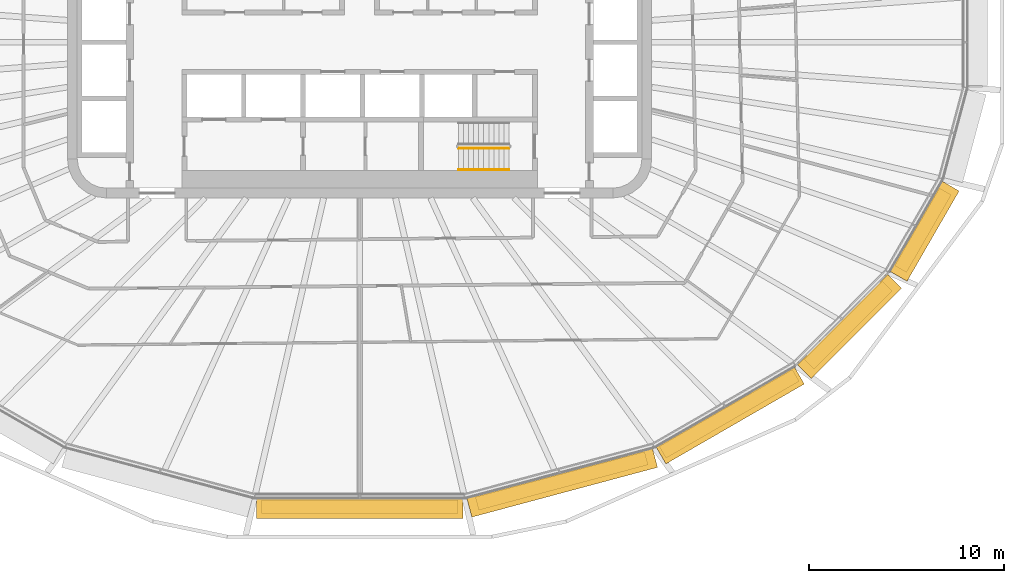
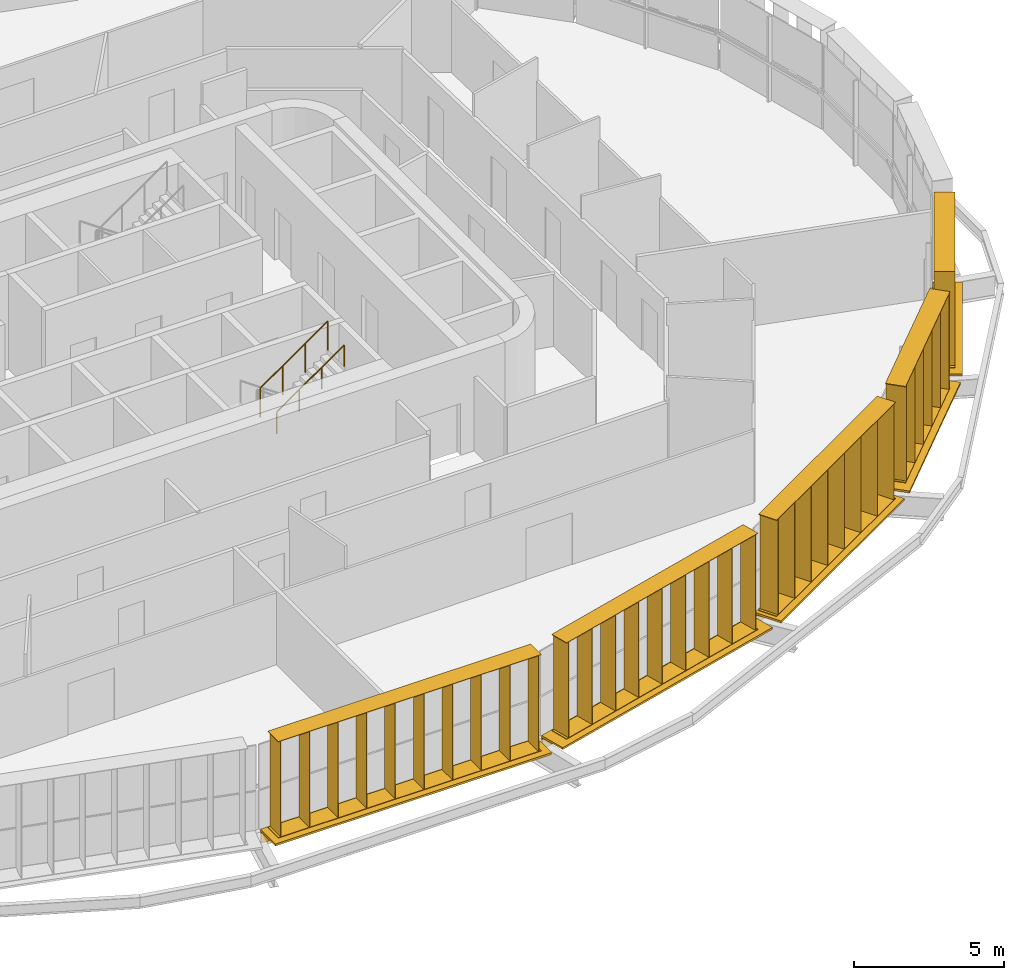
# One storey, part 20 of 23: 10 shading devices, 2 railings.
"""IFC4 building model written with IfcOpenShell, lengths in metres."""

from ifc_helpers import new_model, si_unit, direction, frame, origin, origin_2d, place, context, subcontext, project, spatial, rectangle, circle, extrude, material, type_object, element, save


model = new_model("IFC4")

# Units and contexts
model_context = context("Model", 3, precision=1e-05, world=origin(), true_north=direction((0.0, 1.0)))
body_context = subcontext(model_context, "Body", "Model", "MODEL_VIEW")
ifc_project = project(units=[si_unit("LENGTHUNIT", "METRE"), si_unit("AREAUNIT", "SQUARE_METRE"), si_unit("VOLUMEUNIT", "CUBIC_METRE"), si_unit("PLANEANGLEUNIT", "RADIAN"), si_unit("MASSUNIT", "GRAM", prefix="KILO")], contexts=[model_context])

# Site, building, storey
site_placement = place(None, origin())
site = spatial("IfcSite", under=ifc_project, at=site_placement, CompositionType="ELEMENT")
building_placement = place(site_placement, origin())
building = spatial("IfcBuilding", under=site, at=building_placement, Name="Sahrelin Media Tower", CompositionType="ELEMENT")
storey_placement = place(building_placement, frame((0.0, 0.0, 169.60009765625)))
storey = spatial("IfcBuildingStorey", under=building, at=storey_placement, Name="L35", CompositionType="ELEMENT", Elevation=169.60009765625)

# Shading devices
ifc_material_1 = material(Name="Champagne anodised aluminium 6063-T6", Category="aluminium")
shading_device_type_1 = type_object("IfcShadingDeviceType", Name="Fin cassette", PredefinedType="USERDEFINED", material=ifc_material_1)
placement_1 = place(storey_placement, frame((0.0, -23.428466796875, 0.0), z_axis=(0.0, 0.0, 1.0), x_axis=(-1.0, 0.0, 0.0)))
element("IfcShadingDevice", 1, at=placement_1, inside=storey, type_object=shading_device_type_1, Name="L35:FIN:L35-18", ObjectType="FIN", PredefinedType="USERDEFINED", context=body_context, shape_type="SweptSolid", body=[
    extrude(rectangle(XDim=10.10009765625, YDim=0.699951171875, at=origin_2d()), frame((0.0, 0.419921875, 0.0)), (0.0, 0.0, 1.0), 0.02001953125),
    extrude(rectangle(XDim=10.10009765625, YDim=0.699951171875, at=origin_2d()), frame((0.0, 0.419921875, 3.89990234375)), (0.0, 0.0, 1.0), 0.02001953125),
    extrude(rectangle(XDim=0.02001953125, YDim=0.699951171875, at=origin_2d()), frame((-4.949951171875, 0.419921875, 0.010009765625), z_axis=(0.0, 0.0, 1.0), x_axis=(1.0, 0.0, 0.0)), (0.0, 0.0, 1.0), 3.89990234375),
    extrude(rectangle(XDim=0.02001953125, YDim=0.699951171875, at=origin_2d()), frame((-3.85009765625, 0.419921875, 0.010009765625), z_axis=(0.0, 0.0, 1.0), x_axis=(1.0, 0.0, 0.0)), (0.0, 0.0, 1.0), 3.89990234375),
    extrude(rectangle(XDim=0.02001953125, YDim=0.699951171875, at=origin_2d()), frame((-2.75, 0.419921875, 0.010009765625), z_axis=(0.0, 0.0, 1.0), x_axis=(1.0, 0.0, 0.0)), (0.0, 0.0, 1.0), 3.89990234375),
    extrude(rectangle(XDim=0.02001953125, YDim=0.699951171875, at=origin_2d()), frame((-1.64990234375, 0.419921875, 0.010009765625), z_axis=(0.0, 0.0, 1.0), x_axis=(1.0, 0.0, 0.0)), (0.0, 0.0, 1.0), 3.89990234375),
    extrude(rectangle(XDim=0.02001953125, YDim=0.699951171875, at=origin_2d()), frame((-0.550048828125, 0.419921875, 0.010009765625), z_axis=(0.0, 0.0, 1.0), x_axis=(1.0, 0.0, 0.0)), (0.0, 0.0, 1.0), 3.89990234375),
    extrude(rectangle(XDim=0.02001953125, YDim=0.699951171875, at=origin_2d()), frame((0.550048828125, 0.419921875, 0.010009765625), z_axis=(0.0, 0.0, 1.0), x_axis=(1.0, 0.0, 0.0)), (0.0, 0.0, 1.0), 3.89990234375),
    extrude(rectangle(XDim=0.02001953125, YDim=0.699951171875, at=origin_2d()), frame((1.64990234375, 0.419921875, 0.010009765625), z_axis=(0.0, 0.0, 1.0), x_axis=(1.0, 0.0, 0.0)), (0.0, 0.0, 1.0), 3.89990234375),
    extrude(rectangle(XDim=0.02001953125, YDim=0.699951171875, at=origin_2d()), frame((2.75, 0.419921875, 0.010009765625), z_axis=(0.0, 0.0, 1.0), x_axis=(1.0, 0.0, 0.0)), (0.0, 0.0, 1.0), 3.89990234375),
    extrude(rectangle(XDim=0.02001953125, YDim=0.699951171875, at=origin_2d()), frame((3.85009765625, 0.419921875, 0.010009765625), z_axis=(0.0, 0.0, 1.0), x_axis=(1.0, 0.0, 0.0)), (0.0, 0.0, 1.0), 3.89990234375),
    extrude(rectangle(XDim=0.02001953125, YDim=0.699951171875, at=origin_2d()), frame((4.949951171875, 0.419921875, 0.010009765625), z_axis=(0.0, 0.0, 1.0), x_axis=(1.0, 0.0, 0.0)), (0.0, 0.0, 1.0), 3.89990234375),
])
placement_2 = place(storey_placement, frame((10.268798828125, -22.12548828125, 0.0), z_axis=(0.0, 0.0, 1.0), x_axis=(-0.965928857556, -0.258807731996, 0.0)))
element("IfcShadingDevice", 2, at=placement_2, inside=storey, type_object=shading_device_type_1, Name="L35:FIN:L35-19", ObjectType="FIN", PredefinedType="USERDEFINED", context=body_context, shape_type="SweptSolid", body=[
    extrude(rectangle(XDim=9.0, YDim=0.699951171875, at=origin_2d()), frame((0.0, 0.419921875, 0.0)), (0.0, 0.0, 1.0), 0.02001953125),
    extrude(rectangle(XDim=9.0, YDim=0.699951171875, at=origin_2d()), frame((0.0, 0.419921875, 3.89990234375)), (0.0, 0.0, 1.0), 0.02001953125),
    extrude(rectangle(XDim=0.02001953125, YDim=0.699951171875, at=origin_2d()), frame((-4.39990234375, 0.419921875, 0.010009765625), z_axis=(0.0, 0.0, 1.0), x_axis=(1.0, 0.0, 0.0)), (0.0, 0.0, 1.0), 3.89990234375),
    extrude(rectangle(XDim=0.02001953125, YDim=0.699951171875, at=origin_2d()), frame((-3.300048828125, 0.419921875, 0.010009765625), z_axis=(0.0, 0.0, 1.0), x_axis=(1.0, 0.0, 0.0)), (0.0, 0.0, 1.0), 3.89990234375),
    extrude(rectangle(XDim=0.02001953125, YDim=0.699951171875, at=origin_2d()), frame((-2.199951171875, 0.419921875, 0.010009765625), z_axis=(0.0, 0.0, 1.0), x_axis=(1.0, 0.0, 0.0)), (0.0, 0.0, 1.0), 3.89990234375),
    extrude(rectangle(XDim=0.02001953125, YDim=0.699951171875, at=origin_2d()), frame((-1.10009765625, 0.419921875, 0.010009765625), z_axis=(0.0, 0.0, 1.0), x_axis=(1.0, 0.0, 0.0)), (0.0, 0.0, 1.0), 3.89990234375),
    extrude(rectangle(XDim=0.02001953125, YDim=0.699951171875, at=origin_2d()), frame((0.0, 0.419921875, 0.010009765625), z_axis=(0.0, 0.0, 1.0), x_axis=(1.0, 0.0, 0.0)), (0.0, 0.0, 1.0), 3.89990234375),
    extrude(rectangle(XDim=0.02001953125, YDim=0.699951171875, at=origin_2d()), frame((1.10009765625, 0.419921875, 0.010009765625), z_axis=(0.0, 0.0, 1.0), x_axis=(1.0, 0.0, 0.0)), (0.0, 0.0, 1.0), 3.89990234375),
    extrude(rectangle(XDim=0.02001953125, YDim=0.699951171875, at=origin_2d()), frame((2.199951171875, 0.419921875, 0.010009765625), z_axis=(0.0, 0.0, 1.0), x_axis=(1.0, 0.0, 0.0)), (0.0, 0.0, 1.0), 3.89990234375),
    extrude(rectangle(XDim=0.02001953125, YDim=0.699951171875, at=origin_2d()), frame((3.300048828125, 0.419921875, 0.010009765625), z_axis=(0.0, 0.0, 1.0), x_axis=(1.0, 0.0, 0.0)), (0.0, 0.0, 1.0), 3.89990234375),
    extrude(rectangle(XDim=0.02001953125, YDim=0.699951171875, at=origin_2d()), frame((4.39990234375, 0.419921875, 0.010009765625), z_axis=(0.0, 0.0, 1.0), x_axis=(1.0, 0.0, 0.0)), (0.0, 0.0, 1.0), 3.89990234375),
])
placement_3 = place(storey_placement, frame((18.77099609375, -18.72119140625, 0.0), z_axis=(0.0, 0.0, 1.0), x_axis=(-0.866019052629, -0.500011000363, 0.0)))
element("IfcShadingDevice", 3, at=placement_3, inside=storey, type_object=shading_device_type_1, Name="L35:FIN:L35-20", ObjectType="FIN", PredefinedType="USERDEFINED", context=body_context, shape_type="SweptSolid", body=[
    extrude(rectangle(XDim=7.89990234375, YDim=0.699951171875, at=origin_2d()), frame((0.0, 0.419921875, 0.0)), (0.0, 0.0, 1.0), 0.02001953125),
    extrude(rectangle(XDim=7.89990234375, YDim=0.699951171875, at=origin_2d()), frame((0.0, 0.419921875, 3.89990234375)), (0.0, 0.0, 1.0), 0.02001953125),
    extrude(rectangle(XDim=0.02001953125, YDim=0.699951171875, at=origin_2d()), frame((-3.85009765625, 0.419921875, 0.010009765625), z_axis=(0.0, 0.0, 1.0), x_axis=(1.0, 0.0, 0.0)), (0.0, 0.0, 1.0), 3.89990234375),
    extrude(rectangle(XDim=0.02001953125, YDim=0.699951171875, at=origin_2d()), frame((-2.75, 0.419921875, 0.010009765625), z_axis=(0.0, 0.0, 1.0), x_axis=(1.0, 0.0, 0.0)), (0.0, 0.0, 1.0), 3.89990234375),
    extrude(rectangle(XDim=0.02001953125, YDim=0.699951171875, at=origin_2d()), frame((-1.64990234375, 0.419921875, 0.010009765625), z_axis=(0.0, 0.0, 1.0), x_axis=(1.0, 0.0, 0.0)), (0.0, 0.0, 1.0), 3.89990234375),
    extrude(rectangle(XDim=0.02001953125, YDim=0.699951171875, at=origin_2d()), frame((-0.550048828125, 0.419921875, 0.010009765625), z_axis=(0.0, 0.0, 1.0), x_axis=(1.0, 0.0, 0.0)), (0.0, 0.0, 1.0), 3.89990234375),
    extrude(rectangle(XDim=0.02001953125, YDim=0.699951171875, at=origin_2d()), frame((0.550048828125, 0.419921875, 0.010009765625), z_axis=(0.0, 0.0, 1.0), x_axis=(1.0, 0.0, 0.0)), (0.0, 0.0, 1.0), 3.89990234375),
    extrude(rectangle(XDim=0.02001953125, YDim=0.699951171875, at=origin_2d()), frame((1.64990234375, 0.419921875, 0.010009765625), z_axis=(0.0, 0.0, 1.0), x_axis=(1.0, 0.0, 0.0)), (0.0, 0.0, 1.0), 3.89990234375),
    extrude(rectangle(XDim=0.02001953125, YDim=0.699951171875, at=origin_2d()), frame((2.75, 0.419921875, 0.010009765625), z_axis=(0.0, 0.0, 1.0), x_axis=(1.0, 0.0, 0.0)), (0.0, 0.0, 1.0), 3.89990234375),
    extrude(rectangle(XDim=0.02001953125, YDim=0.699951171875, at=origin_2d()), frame((3.85009765625, 0.419921875, 0.010009765625), z_axis=(0.0, 0.0, 1.0), x_axis=(1.0, 0.0, 0.0)), (0.0, 0.0, 1.0), 3.89990234375),
])
placement_4 = place(storey_placement, frame((24.794189453125, -14.236083984375, 0.0), z_axis=(0.0, 0.0, 1.0), x_axis=(-0.707106781187, -0.707106781187, 0.0)))
element("IfcShadingDevice", 4, at=placement_4, inside=storey, type_object=shading_device_type_1, Name="L35:FIN:L35-21", ObjectType="FIN", PredefinedType="USERDEFINED", context=body_context, shape_type="SweptSolid", body=[
    extrude(rectangle(XDim=5.699951171875, YDim=0.699951171875, at=origin_2d()), frame((0.0, 0.419921875, 0.0)), (0.0, 0.0, 1.0), 0.02001953125),
    extrude(rectangle(XDim=5.699951171875, YDim=0.699951171875, at=origin_2d()), frame((0.0, 0.419921875, 3.89990234375)), (0.0, 0.0, 1.0), 0.02001953125),
    extrude(rectangle(XDim=0.02001953125, YDim=0.699951171875, at=origin_2d()), frame((-2.75, 0.419921875, 0.010009765625), z_axis=(0.0, 0.0, 1.0), x_axis=(1.0, 0.0, 0.0)), (0.0, 0.0, 1.0), 3.89990234375),
    extrude(rectangle(XDim=0.02001953125, YDim=0.699951171875, at=origin_2d()), frame((-1.64990234375, 0.419921875, 0.010009765625), z_axis=(0.0, 0.0, 1.0), x_axis=(1.0, 0.0, 0.0)), (0.0, 0.0, 1.0), 3.89990234375),
    extrude(rectangle(XDim=0.02001953125, YDim=0.699951171875, at=origin_2d()), frame((-0.550048828125, 0.419921875, 0.010009765625), z_axis=(0.0, 0.0, 1.0), x_axis=(1.0, 0.0, 0.0)), (0.0, 0.0, 1.0), 3.89990234375),
    extrude(rectangle(XDim=0.02001953125, YDim=0.699951171875, at=origin_2d()), frame((0.550048828125, 0.419921875, 0.010009765625), z_axis=(0.0, 0.0, 1.0), x_axis=(1.0, 0.0, 0.0)), (0.0, 0.0, 1.0), 3.89990234375),
    extrude(rectangle(XDim=0.02001953125, YDim=0.699951171875, at=origin_2d()), frame((1.64990234375, 0.419921875, 0.010009765625), z_axis=(0.0, 0.0, 1.0), x_axis=(1.0, 0.0, 0.0)), (0.0, 0.0, 1.0), 3.89990234375),
    extrude(rectangle(XDim=0.02001953125, YDim=0.699951171875, at=origin_2d()), frame((2.75, 0.419921875, 0.010009765625), z_axis=(0.0, 0.0, 1.0), x_axis=(1.0, 0.0, 0.0)), (0.0, 0.0, 1.0), 3.89990234375),
])
placement_5 = place(storey_placement, frame((28.566162109375, -9.4482421875, 0.0), z_axis=(0.0, 0.0, 1.0), x_axis=(-0.500011000363, -0.866019052629, 0.0)))
element("IfcShadingDevice", 5, at=placement_5, inside=storey, type_object=shading_device_type_1, Name="L35:FIN:L35-22", ObjectType="FIN", PredefinedType="USERDEFINED", context=body_context, shape_type="SweptSolid", body=[
    extrude(rectangle(XDim=4.60009765625, YDim=0.699951171875, at=origin_2d()), frame((0.0, 0.419921875, 0.0)), (0.0, 0.0, 1.0), 0.02001953125),
    extrude(rectangle(XDim=4.60009765625, YDim=0.699951171875, at=origin_2d()), frame((0.0, 0.419921875, 3.89990234375)), (0.0, 0.0, 1.0), 0.02001953125),
    extrude(rectangle(XDim=0.02001953125, YDim=0.699951171875, at=origin_2d()), frame((-2.199951171875, 0.419921875, 0.010009765625), z_axis=(0.0, 0.0, 1.0), x_axis=(1.0, 0.0, 0.0)), (0.0, 0.0, 1.0), 3.89990234375),
    extrude(rectangle(XDim=0.02001953125, YDim=0.699951171875, at=origin_2d()), frame((-1.10009765625, 0.419921875, 0.010009765625), z_axis=(0.0, 0.0, 1.0), x_axis=(1.0, 0.0, 0.0)), (0.0, 0.0, 1.0), 3.89990234375),
    extrude(rectangle(XDim=0.02001953125, YDim=0.699951171875, at=origin_2d()), frame((0.0, 0.419921875, 0.010009765625), z_axis=(0.0, 0.0, 1.0), x_axis=(1.0, 0.0, 0.0)), (0.0, 0.0, 1.0), 3.89990234375),
    extrude(rectangle(XDim=0.02001953125, YDim=0.699951171875, at=origin_2d()), frame((1.10009765625, 0.419921875, 0.010009765625), z_axis=(0.0, 0.0, 1.0), x_axis=(1.0, 0.0, 0.0)), (0.0, 0.0, 1.0), 3.89990234375),
    extrude(rectangle(XDim=0.02001953125, YDim=0.699951171875, at=origin_2d()), frame((2.199951171875, 0.419921875, 0.010009765625), z_axis=(0.0, 0.0, 1.0), x_axis=(1.0, 0.0, 0.0)), (0.0, 0.0, 1.0), 3.89990234375),
])

# Railings
ifc_material_2 = material(Name="Steel S355", Category="steel")
railing_type_1 = type_object("IfcRailingType", Name="Stair guard 1200", PredefinedType="GUARDRAIL", material=ifc_material_2)
railing_1_placement = place(storey_placement, frame((5.074951171875, -5.449951171875, 2.181640625)))
element("IfcRailing", 6, at=railing_1_placement, inside=storey, type_object=railing_type_1, Name="L35 ST2 stair guard 3", PredefinedType="GUARDRAIL", context=body_context, shape_type="SweptSolid", body=[
    extrude(circle(Radius=0.02392578125, at=origin_2d()), frame((0.0, 0.0, 1.17578125), z_axis=(0.819484887739, 0.0, 0.573100792852), x_axis=(0.0, 1.0, 0.0)), (0.0, 0.0, 1.0), 3.1728515625),
    extrude(circle(Radius=0.02099609375, at=origin_2d()), origin(), (0.0, 0.0, 1.0), 1.15185546875),
    extrude(circle(Radius=0.02099609375, at=origin_2d()), frame((0.86669921875, 0.0, 0.606201171875)), (0.0, 0.0, 1.0), 1.15185546875),
    extrude(circle(Radius=0.02099609375, at=origin_2d()), frame((1.7333984375, 0.0, 1.212158203125)), (0.0, 0.0, 1.0), 1.15185546875),
    extrude(circle(Radius=0.02099609375, at=origin_2d()), frame((2.60009765625, 0.0, 1.818359375)), (0.0, 0.0, 1.0), 1.15185546875),
])
railing_type_2 = type_object("IfcRailingType", Name="Stair handrail 900", PredefinedType="HANDRAIL", material=ifc_material_2)
railing_2_placement = place(storey_placement, frame((5.074951171875, -6.550048828125, 2.181640625)))
element("IfcRailing", 7, at=railing_2_placement, inside=storey, type_object=railing_type_2, Name="L35 ST2 stair handrail 2", PredefinedType="HANDRAIL", context=body_context, shape_type="SweptSolid", body=[
    extrude(circle(Radius=0.02392578125, at=origin_2d()), frame((0.0, 0.0, 0.8759765625), z_axis=(0.819484887739, 0.0, 0.573100792852), x_axis=(0.0, 1.0, 0.0)), (0.0, 0.0, 1.0), 3.1728515625),
    extrude(circle(Radius=0.02099609375, at=origin_2d()), origin(), (0.0, 0.0, 1.0), 0.851806640625),
    extrude(circle(Radius=0.02099609375, at=origin_2d()), frame((0.86669921875, 0.0, 0.606201171875)), (0.0, 0.0, 1.0), 0.851806640625),
    extrude(circle(Radius=0.02099609375, at=origin_2d()), frame((1.7333984375, 0.0, 1.212158203125)), (0.0, 0.0, 1.0), 0.851806640625),
    extrude(circle(Radius=0.02099609375, at=origin_2d()), frame((2.60009765625, 0.0, 1.818359375)), (0.0, 0.0, 1.0), 0.851806640625),
])

# Shading devices
shading_device_type_2 = type_object("IfcShadingDeviceType", Name="Sunshade band", PredefinedType="USERDEFINED", material=ifc_material_1)
element("IfcShadingDevice", 8, at=placement_1, inside=storey, type_object=shading_device_type_2, Name="L35:SUN:L35-18", ObjectType="SUNSHADE", PredefinedType="USERDEFINED", context=body_context, shape_type="SweptSolid", body=[
    extrude(rectangle(XDim=10.61083984375, YDim=0.050048828125, at=origin_2d()), frame((0.0, 0.044921875, -0.55126953125)), (0.0, 0.0, 1.0), 0.471435546875),
    extrude(rectangle(XDim=10.61083984375, YDim=1.0, at=origin_2d()), frame((0.0, 0.52001953125, -0.080078125)), (0.0, 0.0, 1.0), 0.080078125),
    extrude(rectangle(XDim=0.10009765625, YDim=0.074951171875, at=origin_2d()), frame((-5.205322265625, -0.017578125, -0.47021484375)), (0.0, 0.0, 1.0), 0.300048828125),
    extrude(rectangle(XDim=0.10009765625, YDim=0.074951171875, at=origin_2d()), frame((-3.47021484375, -0.017578125, -0.47021484375)), (0.0, 0.0, 1.0), 0.300048828125),
    extrude(rectangle(XDim=0.10009765625, YDim=0.074951171875, at=origin_2d()), frame((-1.735107421875, -0.017578125, -0.47021484375)), (0.0, 0.0, 1.0), 0.300048828125),
    extrude(rectangle(XDim=0.10009765625, YDim=0.074951171875, at=origin_2d()), frame((0.0, -0.017578125, -0.47021484375)), (0.0, 0.0, 1.0), 0.300048828125),
    extrude(rectangle(XDim=0.10009765625, YDim=0.074951171875, at=origin_2d()), frame((1.735107421875, -0.017578125, -0.47021484375)), (0.0, 0.0, 1.0), 0.300048828125),
    extrude(rectangle(XDim=0.10009765625, YDim=0.074951171875, at=origin_2d()), frame((3.47021484375, -0.017578125, -0.47021484375)), (0.0, 0.0, 1.0), 0.300048828125),
    extrude(rectangle(XDim=0.10009765625, YDim=0.074951171875, at=origin_2d()), frame((5.205322265625, -0.017578125, -0.47021484375)), (0.0, 0.0, 1.0), 0.300048828125),
])
element("IfcShadingDevice", 9, at=placement_2, inside=storey, type_object=shading_device_type_2, Name="L35:SUN:L35-19", ObjectType="SUNSHADE", PredefinedType="USERDEFINED", context=body_context, shape_type="SweptSolid", body=[
    extrude(rectangle(XDim=9.86962890625, YDim=0.050048828125, at=origin_2d()), frame((0.0, 0.044921875, -0.55126953125)), (0.0, 0.0, 1.0), 0.471435546875),
    extrude(rectangle(XDim=9.86962890625, YDim=1.0, at=origin_2d()), frame((0.0, 0.52001953125, -0.080078125)), (0.0, 0.0, 1.0), 0.080078125),
    extrude(rectangle(XDim=0.10009765625, YDim=0.074951171875, at=origin_2d()), frame((-4.8349609375, -0.017578125, -0.47021484375)), (0.0, 0.0, 1.0), 0.300048828125),
    extrude(rectangle(XDim=0.10009765625, YDim=0.074951171875, at=origin_2d()), frame((-2.90087890625, -0.017578125, -0.47021484375)), (0.0, 0.0, 1.0), 0.300048828125),
    extrude(rectangle(XDim=0.10009765625, YDim=0.074951171875, at=origin_2d()), frame((-0.967041015625, -0.017578125, -0.47021484375)), (0.0, 0.0, 1.0), 0.300048828125),
    extrude(rectangle(XDim=0.10009765625, YDim=0.074951171875, at=origin_2d()), frame((0.967041015625, -0.017578125, -0.47021484375)), (0.0, 0.0, 1.0), 0.300048828125),
    extrude(rectangle(XDim=0.10009765625, YDim=0.074951171875, at=origin_2d()), frame((2.90087890625, -0.017578125, -0.47021484375)), (0.0, 0.0, 1.0), 0.300048828125),
    extrude(rectangle(XDim=0.10009765625, YDim=0.074951171875, at=origin_2d()), frame((4.8349609375, -0.017578125, -0.47021484375)), (0.0, 0.0, 1.0), 0.300048828125),
])
element("IfcShadingDevice", 10, at=placement_3, inside=storey, type_object=shading_device_type_2, Name="L35:SUN:L35-20", ObjectType="SUNSHADE", PredefinedType="USERDEFINED", context=body_context, shape_type="SweptSolid", body=[
    extrude(rectangle(XDim=8.203857421875, YDim=0.050048828125, at=origin_2d()), frame((0.0, 0.044921875, -0.55126953125)), (0.0, 0.0, 1.0), 0.471435546875),
    extrude(rectangle(XDim=8.203857421875, YDim=1.0, at=origin_2d()), frame((0.0, 0.52001953125, -0.080078125)), (0.0, 0.0, 1.0), 0.080078125),
    extrude(rectangle(XDim=0.10009765625, YDim=0.074951171875, at=origin_2d()), frame((-4.001953125, -0.017578125, -0.47021484375)), (0.0, 0.0, 1.0), 0.300048828125),
    extrude(rectangle(XDim=0.10009765625, YDim=0.074951171875, at=origin_2d()), frame((-2.401123046875, -0.017578125, -0.47021484375)), (0.0, 0.0, 1.0), 0.300048828125),
    extrude(rectangle(XDim=0.10009765625, YDim=0.074951171875, at=origin_2d()), frame((-0.80029296875, -0.017578125, -0.47021484375)), (0.0, 0.0, 1.0), 0.300048828125),
    extrude(rectangle(XDim=0.10009765625, YDim=0.074951171875, at=origin_2d()), frame((0.80029296875, -0.017578125, -0.47021484375)), (0.0, 0.0, 1.0), 0.300048828125),
    extrude(rectangle(XDim=0.10009765625, YDim=0.074951171875, at=origin_2d()), frame((2.401123046875, -0.017578125, -0.47021484375)), (0.0, 0.0, 1.0), 0.300048828125),
    extrude(rectangle(XDim=0.10009765625, YDim=0.074951171875, at=origin_2d()), frame((4.001953125, -0.017578125, -0.47021484375)), (0.0, 0.0, 1.0), 0.300048828125),
])
element("IfcShadingDevice", 11, at=placement_4, inside=storey, type_object=shading_device_type_2, Name="L35:SUN:L35-21", ObjectType="SUNSHADE", PredefinedType="USERDEFINED", context=body_context, shape_type="SweptSolid", body=[
    extrude(rectangle(XDim=6.54345703125, YDim=0.050048828125, at=origin_2d()), frame((0.0, 0.044921875, -0.55126953125)), (0.0, 0.0, 1.0), 0.471435546875),
    extrude(rectangle(XDim=6.54345703125, YDim=1.0, at=origin_2d()), frame((0.0, 0.52001953125, -0.080078125)), (0.0, 0.0, 1.0), 0.080078125),
    extrude(rectangle(XDim=0.10009765625, YDim=0.074951171875, at=origin_2d()), frame((-3.171875, -0.017578125, -0.47021484375)), (0.0, 0.0, 1.0), 0.300048828125),
    extrude(rectangle(XDim=0.10009765625, YDim=0.074951171875, at=origin_2d()), frame((-1.5859375, -0.017578125, -0.47021484375)), (0.0, 0.0, 1.0), 0.300048828125),
    extrude(rectangle(XDim=0.10009765625, YDim=0.074951171875, at=origin_2d()), frame((0.0, -0.017578125, -0.47021484375)), (0.0, 0.0, 1.0), 0.300048828125),
    extrude(rectangle(XDim=0.10009765625, YDim=0.074951171875, at=origin_2d()), frame((1.5859375, -0.017578125, -0.47021484375)), (0.0, 0.0, 1.0), 0.300048828125),
    extrude(rectangle(XDim=0.10009765625, YDim=0.074951171875, at=origin_2d()), frame((3.171875, -0.017578125, -0.47021484375)), (0.0, 0.0, 1.0), 0.300048828125),
])
element("IfcShadingDevice", 12, at=placement_5, inside=storey, type_object=shading_device_type_2, Name="L35:SUN:L35-22", ObjectType="SUNSHADE", PredefinedType="USERDEFINED", context=body_context, shape_type="SweptSolid", body=[
    extrude(rectangle(XDim=5.350830078125, YDim=0.050048828125, at=origin_2d()), frame((0.0, 0.044921875, -0.55126953125)), (0.0, 0.0, 1.0), 0.471435546875),
    extrude(rectangle(XDim=5.350830078125, YDim=1.0, at=origin_2d()), frame((0.0, 0.52001953125, -0.080078125)), (0.0, 0.0, 1.0), 0.080078125),
    extrude(rectangle(XDim=0.10009765625, YDim=0.074951171875, at=origin_2d()), frame((-2.575439453125, -0.017578125, -0.47021484375)), (0.0, 0.0, 1.0), 0.300048828125),
    extrude(rectangle(XDim=0.10009765625, YDim=0.074951171875, at=origin_2d()), frame((-0.8583984375, -0.017578125, -0.47021484375)), (0.0, 0.0, 1.0), 0.300048828125),
    extrude(rectangle(XDim=0.10009765625, YDim=0.074951171875, at=origin_2d()), frame((0.8583984375, -0.017578125, -0.47021484375)), (0.0, 0.0, 1.0), 0.300048828125),
    extrude(rectangle(XDim=0.10009765625, YDim=0.074951171875, at=origin_2d()), frame((2.575439453125, -0.017578125, -0.47021484375)), (0.0, 0.0, 1.0), 0.300048828125),
])

save(model, "model.ifc")
